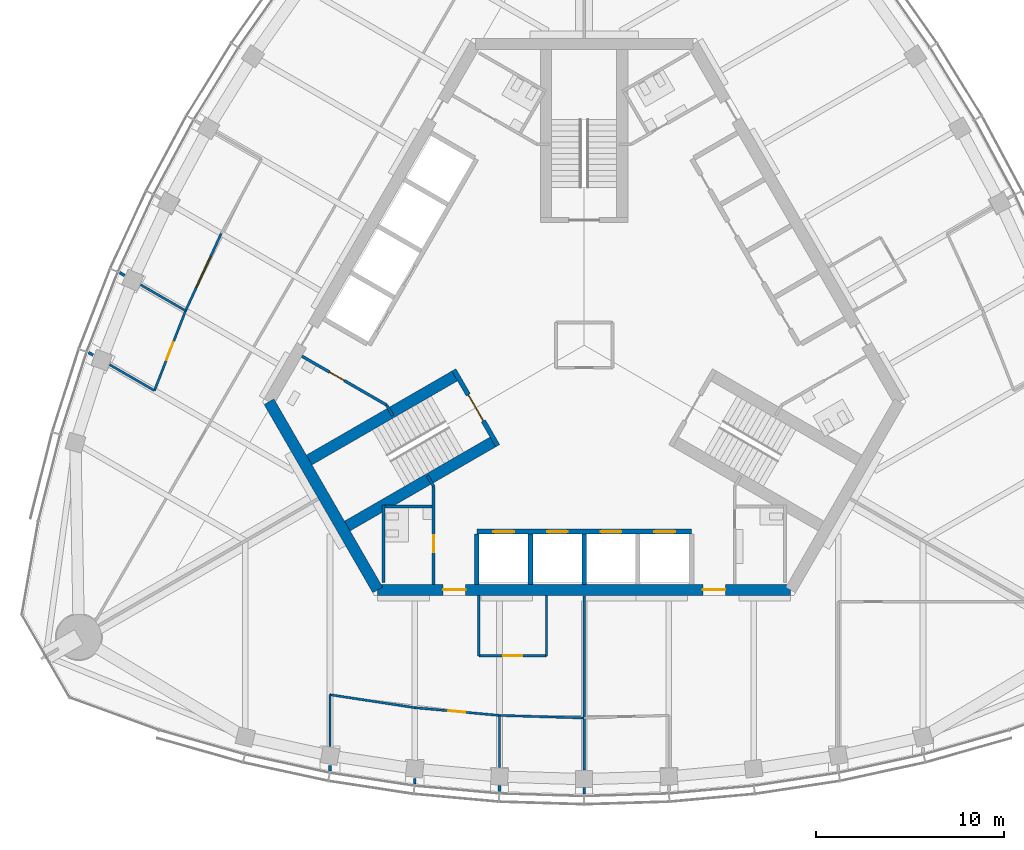
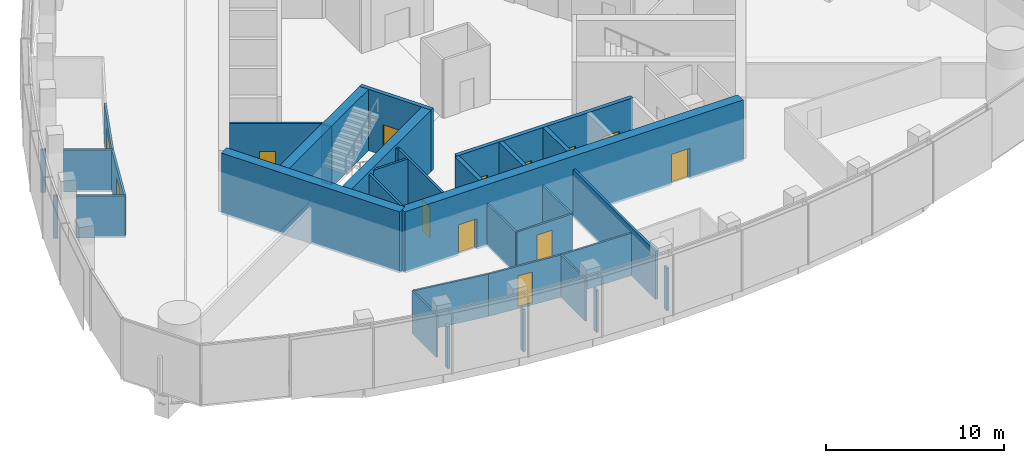
# One storey, part 8 of 16: 34 walls, 13 doors, 13 openings.
"""IFC4 building model written with IfcOpenShell, lengths in metres."""

from ifc_helpers import new_model, si_unit, direction, frame, frame_2d, origin, place, context, subcontext, project, spatial, rectangle, extrude, material, layer, layer_set, type_object, element, fill, save


model = new_model("IFC4")

# Units and contexts
model_context = context("Model", 3, precision=1e-05, world=origin(), true_north=direction((0.0, 1.0)))
body_context = subcontext(model_context, "Body", "Model", "MODEL_VIEW")
ifc_project = project(units=[si_unit("LENGTHUNIT", "METRE"), si_unit("AREAUNIT", "SQUARE_METRE"), si_unit("VOLUMEUNIT", "CUBIC_METRE"), si_unit("PLANEANGLEUNIT", "RADIAN"), si_unit("MASSUNIT", "GRAM", prefix="KILO")], contexts=[model_context])

# Site, building, storey
site_placement = place(None, origin())
site = spatial("IfcSite", under=ifc_project, at=site_placement, CompositionType="ELEMENT")
building_placement = place(site_placement, origin())
building = spatial("IfcBuilding", under=site, at=building_placement, Name="Trefoil Bronze Tower", CompositionType="ELEMENT")
storey_placement = place(building_placement, frame((0.0, 0.0, 309.89990234375)))
storey = spatial("IfcBuildingStorey", under=building, at=storey_placement, Name="L71", CompositionType="ELEMENT", Elevation=309.89990234375)

# Wall, openings, doors
ifc_material_1 = material(Name="Concrete B80", Category="concrete")
ifc_layer_1 = layer(ifc_material_1, 0.60009765625)
ifc_layer_set_1 = layer_set([ifc_layer_1], Name="Core wall 600")
wall_type_1 = type_object("IfcWallType", Name="Core wall 600", PredefinedType="SHEAR", material=ifc_layer_set_1)
wall_1_placement = place(storey_placement, frame((-10.9697265625, -13.0, 0.0), z_axis=(0.0, 0.0, 1.0), x_axis=(1.0, 0.0, 0.0)))
wall_1 = element("IfcWall", 1, at=wall_1_placement, inside=storey, type_object=wall_type_1, Name="Core long wall 1 L71", PredefinedType="SHEAR", context=body_context, shape_type="SweptSolid", body=[
    extrude(rectangle(XDim=21.939453125, YDim=0.60009765625, at=frame_2d((10.9697265625, 0.0))), origin(), (0.0, 0.0, 1.0), 4.2001953125),
])
opening_1_placement = place(wall_1_placement, frame((17.269775390625, 0.0, 0.0)))
opening_1 = element("IfcOpeningElement", 2, at=opening_1_placement, cuts=wall_1, Name="Opening D2", PredefinedType="OPENING", context=body_context, shape_type="SweptSolid", body=[
    extrude(rectangle(XDim=1.199951171875, YDim=2.10009765625, at=frame_2d((0.60009765625, 1.050048828125))), frame((0.0, 0.31005859375, 0.0), z_axis=(0.0, -1.0, 0.0), x_axis=(1.0, 0.0, 0.0)), (0.0, 0.0, 1.0), 0.6201171875),
])
opening_2_placement = place(wall_1_placement, frame((3.4697265625, 0.0, 0.0)))
opening_2 = element("IfcOpeningElement", 3, at=opening_2_placement, cuts=wall_1, Name="Opening D2", PredefinedType="OPENING", context=body_context, shape_type="SweptSolid", body=[
    extrude(rectangle(XDim=1.199951171875, YDim=2.10009765625, at=frame_2d((0.60009765625, 1.050048828125))), frame((0.0, 0.31005859375, 0.0), z_axis=(0.0, -1.0, 0.0), x_axis=(1.0, 0.0, 0.0)), (0.0, 0.0, 1.0), 0.6201171875),
])
ifc_material_2 = material(Name="Steel door", Category="steel")
door_type_1 = type_object("IfcDoorType", Name="Lobby door 1200", OperationType="SINGLE_SWING_RIGHT", PredefinedType="DOOR", material=ifc_material_2)
door_1_placement = place(opening_1_placement, origin())
door_1 = element("IfcDoor", 4, at=door_1_placement, inside=storey, type_object=door_type_1, Name="Lobby door F1+ L71", OperationType="SINGLE_SWING_RIGHT", OverallHeight=2.10009765625, OverallWidth=1.199951171875, PredefinedType="DOOR", context=body_context, shape_type="SweptSolid", body=[
    extrude(rectangle(XDim=1.199951171875, YDim=2.10009765625, at=frame_2d((0.60009765625, 1.050048828125))), frame((0.0, 0.02490234375, 0.0), z_axis=(0.0, -1.0, 0.0), x_axis=(1.0, 0.0, 0.0)), (0.0, 0.0, 1.0), 0.050048828125),
])
fill(opening_1, door_1)
door_2_placement = place(opening_2_placement, origin())
door_2 = element("IfcDoor", 5, at=door_2_placement, inside=storey, type_object=door_type_1, Name="Lobby door F1- L71", OperationType="SINGLE_SWING_LEFT", OverallHeight=2.10009765625, OverallWidth=1.199951171875, PredefinedType="DOOR", context=body_context, shape_type="SweptSolid", body=[
    extrude(rectangle(XDim=1.199951171875, YDim=2.10009765625, at=frame_2d((0.60009765625, 1.050048828125))), frame((0.0, 0.02490234375, 0.0), z_axis=(0.0, -1.0, 0.0), x_axis=(1.0, 0.0, 0.0)), (0.0, 0.0, 1.0), 0.050048828125),
])
fill(opening_2, door_2)

# Wall
wall_2_placement = place(storey_placement, frame((-16.7431640625, -3.0, 0.0), z_axis=(0.0, 0.0, 1.0), x_axis=(0.499995765644, -0.866027848477, 0.0)))
element("IfcWall", 6, at=wall_2_placement, inside=storey, type_object=wall_type_1, Name="Core short wall 3 L71", PredefinedType="SHEAR", context=body_context, shape_type="SweptSolid", body=[
    extrude(rectangle(XDim=11.546875, YDim=0.60009765625, at=frame_2d((5.7734375, 0.0))), origin(), (0.0, 0.0, 1.0), 4.2001953125),
])

# Wall, opening, door
ifc_material_3 = material(Name="Glazed partition", Category="glass")
ifc_layer_2 = layer(ifc_material_3, 0.1201171875)
ifc_layer_set_2 = layer_set([ifc_layer_2], Name="Glazed partition 120")
wall_type_2 = type_object("IfcWallType", Name="Glazed partition 120", PredefinedType="PARTITIONING", material=ifc_layer_set_2)
wall_3_placement = place(storey_placement, frame((-5.60009765625, -16.5, 0.0), z_axis=(0.0, 0.0, 1.0), x_axis=(1.0, 0.0, 0.0)))
wall_3 = element("IfcWall", 7, at=wall_3_placement, inside=storey, type_object=wall_type_2, Name="Partition F1 L71", PredefinedType="PARTITIONING", context=body_context, shape_type="SweptSolid", body=[
    extrude(rectangle(XDim=3.60009765625, YDim=0.1201171875, at=frame_2d((1.800048828125, 0.0))), origin(), (0.0, 0.0, 1.0), 2.900146484375),
])
opening_3_placement = place(wall_3_placement, frame((1.300048828125, 0.0, 0.14990234375)))
opening_3 = element("IfcOpeningElement", 8, at=opening_3_placement, cuts=wall_3, Name="Opening D9", PredefinedType="OPENING", context=body_context, shape_type="SweptSolid", body=[
    extrude(rectangle(XDim=1.0, YDim=2.10009765625, at=frame_2d((0.5, 1.050048828125))), frame((0.0, 0.070068359375, 0.0), z_axis=(0.0, -1.0, 0.0), x_axis=(1.0, 0.0, 0.0)), (0.0, 0.0, 1.0), 0.14013671875),
])
ifc_material_4 = material(Name="Glazed timber door", Category="wood")
door_type_2 = type_object("IfcDoorType", Name="Meeting room door 1000", OperationType="SINGLE_SWING_LEFT", PredefinedType="DOOR", material=ifc_material_4)
door_3_placement = place(opening_3_placement, origin())
door_3 = element("IfcDoor", 9, at=door_3_placement, inside=storey, type_object=door_type_2, Name="Meeting room door F1 L71", OperationType="SINGLE_SWING_RIGHT", OverallHeight=2.10009765625, OverallWidth=1.0, PredefinedType="DOOR", context=body_context, shape_type="SweptSolid", body=[
    extrude(rectangle(XDim=1.0, YDim=2.10009765625, at=frame_2d((0.5, 1.050048828125))), frame((0.0, 0.02490234375, 0.0), z_axis=(0.0, -1.0, 0.0), x_axis=(1.0, 0.0, 0.0)), (0.0, 0.0, 1.0), 0.050048828125),
])
fill(opening_3, door_3)

# Walls
for number, where, z_axis, x_axis, name in (
    (10, (-2.0, -13.300048828125, 0.0), (0.0, 0.0, 1.0), (0.0, -1.0, 0.0), "Partition F1 L71"),
    (11, (-5.60009765625, -13.300048828125, 0.0), (0.0, 0.0, 1.0), (0.0, -1.0, 0.0), "Partition F1 L71"),
):
    element("IfcWall", number, at=place(storey_placement, frame(where, z_axis=z_axis, x_axis=x_axis)), inside=storey, type_object=wall_type_2, Name=name, PredefinedType="PARTITIONING", context=body_context, shape_type="SweptSolid", body=[
        extrude(rectangle(XDim=3.199951171875, YDim=0.1201171875, at=frame_2d((1.60009765625, 0.0))), origin(), (0.0, 0.0, 1.0), 2.900146484375),
    ])
wall_4_placement = place(storey_placement, frame((-13.5, -18.566162109375, 0.0), z_axis=(0.0, 0.0, 1.0), x_axis=(0.988481794406, -0.151339823341, 0.0)))
element("IfcWall", 12, at=wall_4_placement, inside=storey, type_object=wall_type_2, Name="Partition F1 L71", PredefinedType="PARTITIONING", context=body_context, shape_type="SweptSolid", body=[
    extrude(rectangle(XDim=4.552490234375, YDim=0.1201171875, at=frame_2d((2.2763671875, 0.0))), origin(), (0.0, 0.0, 1.0), 2.900146484375),
])
wall_5_placement = place(storey_placement, frame((-4.5, -19.665283203125, 0.0), z_axis=(0.0, 0.0, 1.0), x_axis=(0.999542074227, -0.030259574513, 0.0)))
element("IfcWall", 13, at=wall_5_placement, inside=storey, type_object=wall_type_2, Name="Partition F1 L71", PredefinedType="PARTITIONING", context=body_context, shape_type="SweptSolid", body=[
    extrude(rectangle(XDim=4.501953125, YDim=0.1201171875, at=frame_2d((2.2509765625, 0.0))), origin(), (0.0, 0.0, 1.0), 2.900146484375),
])

# Wall, opening, door
wall_6_placement = place(storey_placement, frame((-9.0, -19.255126953125, 0.0), z_axis=(0.0, 0.0, 1.0), x_axis=(0.995871921504, -0.090769576179, 0.0)))
wall_6 = element("IfcWall", 14, at=wall_6_placement, inside=storey, type_object=wall_type_2, Name="Partition F1 L71", PredefinedType="PARTITIONING", context=body_context, shape_type="SweptSolid", body=[
    extrude(rectangle(XDim=4.5185546875, YDim=0.1201171875, at=frame_2d((2.25927734375, 0.0))), origin(), (0.0, 0.0, 1.0), 2.900146484375),
])
opening_4_placement = place(wall_6_placement, frame((1.800048828125, 0.0, 0.14990234375)))
opening_4 = element("IfcOpeningElement", 15, at=opening_4_placement, cuts=wall_6, Name="Opening D8", PredefinedType="OPENING", context=body_context, shape_type="SweptSolid", body=[
    extrude(rectangle(XDim=0.89990234375, YDim=2.10009765625, at=frame_2d((0.449951171875, 1.050048828125))), frame((0.0, 0.070068359375, 0.0), z_axis=(0.0, -1.0, 0.0), x_axis=(1.0, 0.0, 0.0)), (0.0, 0.0, 1.0), 0.14013671875),
])
ifc_material_5 = material(Name="Timber door", Category="wood")
door_type_3 = type_object("IfcDoorType", Name="Office door 900", OperationType="SINGLE_SWING_LEFT", PredefinedType="DOOR", material=ifc_material_5)
door_4_placement = place(opening_4_placement, frame((0.89990234375, 0.0, 0.0), z_axis=(0.0, 0.0, 1.0), x_axis=(-1.0, 0.0, 0.0)))
door_4 = element("IfcDoor", 16, at=door_4_placement, inside=storey, type_object=door_type_3, Name="Executive office door F1 L71", OperationType="SINGLE_SWING_RIGHT", OverallHeight=2.10009765625, OverallWidth=0.89990234375, PredefinedType="DOOR", context=body_context, shape_type="SweptSolid", body=[
    extrude(rectangle(XDim=0.89990234375, YDim=2.10009765625, at=frame_2d((0.449951171875, 1.050048828125))), frame((0.0, 0.02490234375, 0.0), z_axis=(0.0, -1.0, 0.0), x_axis=(1.0, 0.0, 0.0)), (0.0, 0.0, 1.0), 0.050048828125),
])
fill(opening_4, door_4)

# Walls
wall_7_placement = place(storey_placement, frame((-13.5, -18.566162109375, 0.0), z_axis=(0.0, 0.0, 1.0), x_axis=(0.0, -1.0, 0.0)))
element("IfcWall", 17, at=wall_7_placement, inside=storey, type_object=wall_type_2, Name="Partition F1 L71", PredefinedType="PARTITIONING", context=body_context, shape_type="SweptSolid", body=[
    extrude(rectangle(XDim=2.74853515625, YDim=0.1201171875, at=frame_2d((1.374267578125, 0.0))), origin(), (0.0, 0.0, 1.0), 2.900146484375),
])
wall_8_placement = place(storey_placement, frame((-4.5, -19.665283203125, 0.0), z_axis=(0.0, 0.0, 1.0), x_axis=(0.0, -1.0, 0.0)))
element("IfcWall", 18, at=wall_8_placement, inside=storey, type_object=wall_type_2, Name="Partition F1 L71", PredefinedType="PARTITIONING", context=body_context, shape_type="SweptSolid", body=[
    extrude(rectangle(XDim=2.767822265625, YDim=0.1201171875, at=frame_2d((1.3837890625, 0.0))), origin(), (0.0, 0.0, 1.0), 2.900146484375),
])

# Wall, opening, door
wall_9_placement = place(storey_placement, frame((-19.28076171875, 5.935546875, 0.0), z_axis=(0.0, 0.0, 1.0), x_axis=(-0.419270595022, -0.907861315483, 0.0)))
wall_9 = element("IfcWall", 19, at=wall_9_placement, inside=storey, type_object=wall_type_2, Name="Partition F3 L71", PredefinedType="PARTITIONING", context=body_context, shape_type="SweptSolid", body=[
    extrude(rectangle(XDim=4.5185546875, YDim=0.1201171875, at=frame_2d((2.25927734375, 0.0))), origin(), (0.0, 0.0, 1.0), 2.900146484375),
])
opening_5_placement = place(wall_9_placement, frame((1.35009765625, 0.0, 0.14990234375)))
opening_5 = element("IfcOpeningElement", 20, at=opening_5_placement, cuts=wall_9, Name="Opening D10", PredefinedType="OPENING", context=body_context, shape_type="SweptSolid", body=[
    extrude(rectangle(XDim=1.800048828125, YDim=2.10009765625, at=frame_2d((0.89990234375, 1.050048828125))), frame((0.0, 0.070068359375, 0.0), z_axis=(0.0, -1.0, 0.0), x_axis=(1.0, 0.0, 0.0)), (0.0, 0.0, 1.0), 0.14013671875),
])
ifc_material_6 = material(Name="Timber door", Category="wood")
door_type_4 = type_object("IfcDoorType", Name="Double door 1800", OperationType="DOUBLE_DOOR_SINGLE_SWING", PredefinedType="DOOR", material=ifc_material_6)
door_5_placement = place(opening_5_placement, frame((1.800048828125, 0.0, 0.0), z_axis=(0.0, 0.0, 1.0), x_axis=(-1.0, 0.0, 0.0)))
door_5 = element("IfcDoor", 21, at=door_5_placement, inside=storey, type_object=door_type_4, Name="Dining room door F3 L71", OperationType="DOUBLE_DOOR_SINGLE_SWING", OverallHeight=2.10009765625, OverallWidth=1.800048828125, PredefinedType="DOOR", context=body_context, shape_type="SweptSolid", body=[
    extrude(rectangle(XDim=1.800048828125, YDim=2.10009765625, at=frame_2d((0.89990234375, 1.050048828125))), frame((0.0, 0.02490234375, 0.0), z_axis=(0.0, -1.0, 0.0), x_axis=(1.0, 0.0, 0.0)), (0.0, 0.0, 1.0), 0.050048828125),
])
fill(opening_5, door_5)

wall_10_placement = place(storey_placement, frame((-21.17529296875, 1.833251953125, 0.0), z_axis=(0.0, 0.0, 1.0), x_axis=(-0.363230297573, -0.931699388711, 0.0)))
wall_10 = element("IfcWall", 22, at=wall_10_placement, inside=storey, type_object=wall_type_2, Name="Partition F3 L71", PredefinedType="PARTITIONING", context=body_context, shape_type="SweptSolid", body=[
    extrude(rectangle(XDim=4.552490234375, YDim=0.1201171875, at=frame_2d((2.2763671875, 0.0))), origin(), (0.0, 0.0, 1.0), 2.900146484375),
])
opening_6_placement = place(wall_10_placement, frame((1.800048828125, 0.0, 0.14990234375)))
opening_6 = element("IfcOpeningElement", 23, at=opening_6_placement, cuts=wall_10, Name="Opening D9", PredefinedType="OPENING", context=body_context, shape_type="SweptSolid", body=[
    extrude(rectangle(XDim=1.0, YDim=2.10009765625, at=frame_2d((0.5, 1.050048828125))), frame((0.0, 0.070068359375, 0.0), z_axis=(0.0, -1.0, 0.0), x_axis=(1.0, 0.0, 0.0)), (0.0, 0.0, 1.0), 0.14013671875),
])
door_6_placement = place(opening_6_placement, frame((1.0, 0.0, 0.0), z_axis=(0.0, 0.0, 1.0), x_axis=(-1.0, 0.0, 0.0)))
door_6 = element("IfcDoor", 24, at=door_6_placement, inside=storey, type_object=door_type_2, Name="Meeting room door F3 L71", OperationType="SINGLE_SWING_LEFT", OverallHeight=2.10009765625, OverallWidth=1.0, PredefinedType="DOOR", context=body_context, shape_type="SweptSolid", body=[
    extrude(rectangle(XDim=1.0, YDim=2.10009765625, at=frame_2d((0.5, 1.050048828125))), frame((0.0, 0.02490234375, 0.0), z_axis=(0.0, -1.0, 0.0), x_axis=(1.0, 0.0, 0.0)), (0.0, 0.0, 1.0), 0.050048828125),
])
fill(opening_6, door_6)

# Walls
wall_11_placement = place(storey_placement, frame((-22.828857421875, -2.408203125, 0.0), z_axis=(0.0, 0.0, 1.0), x_axis=(-0.866031754707, 0.499988999718, 0.0)))
element("IfcWall", 25, at=wall_11_placement, inside=storey, type_object=wall_type_2, Name="Partition F3 L71", PredefinedType="PARTITIONING", context=body_context, shape_type="SweptSolid", body=[
    extrude(rectangle(XDim=2.74853515625, YDim=0.1201171875, at=frame_2d((1.374267578125, 0.0))), origin(), (0.0, 0.0, 1.0), 2.900146484375),
])
wall_12_placement = place(storey_placement, frame((-21.17529296875, 1.833251953125, 0.0), z_axis=(0.0, 0.0, 1.0), x_axis=(-0.86602506628, 0.500000584575, 0.0)))
element("IfcWall", 26, at=wall_12_placement, inside=storey, type_object=wall_type_2, Name="Partition F3 L71", PredefinedType="PARTITIONING", context=body_context, shape_type="SweptSolid", body=[
    extrude(rectangle(XDim=2.7607421875, YDim=0.1201171875, at=frame_2d((1.38037109375, 0.0))), origin(), (0.0, 0.0, 1.0), 2.900146484375),
])

# Wall, opening, door
ifc_material_7 = material(Name="Gypsum board on steel studs", Category="steel")
ifc_layer_3 = layer(ifc_material_7, 0.14990234375)
ifc_layer_set_3 = layer_set([ifc_layer_3], Name="Partition 150")
wall_type_3 = type_object("IfcWallType", Name="Partition 150", PredefinedType="PARTITIONING", material=ifc_layer_set_3)
wall_13_placement = place(storey_placement, frame((-8.0, -7.5, 0.0), z_axis=(0.0, 0.0, 1.0), x_axis=(0.0, -1.0, 0.0)))
wall_13 = element("IfcWall", 27, at=wall_13_placement, inside=storey, type_object=wall_type_3, Name="Passage wall F1- L71", PredefinedType="PARTITIONING", context=body_context, shape_type="SweptSolid", body=[
    extrude(rectangle(XDim=5.199951171875, YDim=0.14990234375, at=frame_2d((2.60009765625, 0.0))), origin(), (0.0, 0.0, 1.0), 4.0),
])
opening_7_placement = place(wall_13_placement, frame((2.60009765625, 0.0, 0.0)))
opening_7 = element("IfcOpeningElement", 28, at=opening_7_placement, cuts=wall_13, Name="Opening D3", PredefinedType="OPENING", context=body_context, shape_type="SweptSolid", body=[
    extrude(rectangle(XDim=0.89990234375, YDim=2.10009765625, at=frame_2d((0.449951171875, 1.050048828125))), frame((0.0, 0.0849609375, 0.0), z_axis=(0.0, -1.0, 0.0), x_axis=(1.0, 0.0, 0.0)), (0.0, 0.0, 1.0), 0.169921875),
])
ifc_material_8 = material(Name="Timber door", Category="wood")
door_type_5 = type_object("IfcDoorType", Name="WC door 900", OperationType="SINGLE_SWING_LEFT", PredefinedType="DOOR", material=ifc_material_8)
door_7_placement = place(opening_7_placement, frame((0.89990234375, 0.0, 0.0), z_axis=(0.0, 0.0, 1.0), x_axis=(-1.0, 0.0, 0.0)))
door_7 = element("IfcDoor", 29, at=door_7_placement, inside=storey, type_object=door_type_5, Name="WC (women) door L71", OperationType="SINGLE_SWING_RIGHT", OverallHeight=2.10009765625, OverallWidth=0.89990234375, PredefinedType="DOOR", context=body_context, shape_type="SweptSolid", body=[
    extrude(rectangle(XDim=0.89990234375, YDim=2.10009765625, at=frame_2d((0.449951171875, 1.050048828125))), frame((0.0, 0.02490234375, 0.0), z_axis=(0.0, -1.0, 0.0), x_axis=(1.0, 0.0, 0.0)), (0.0, 0.0, 1.0), 0.050048828125),
])
fill(opening_7, door_7)

wall_14_placement = place(storey_placement, frame((-10.4951171875, -3.17822265625, 0.0), z_axis=(0.0, 0.0, 1.0), x_axis=(-0.866021400173, 0.500006934395, 0.0)))
wall_14 = element("IfcWall", 30, at=wall_14_placement, inside=storey, type_object=wall_type_3, Name="Passage wall F3+ L71", PredefinedType="PARTITIONING", context=body_context, shape_type="SweptSolid", body=[
    extrude(rectangle(XDim=5.2001953125, YDim=0.14990234375, at=frame_2d((2.60009765625, 0.0))), origin(), (0.0, 0.0, 1.0), 4.0),
])
opening_8_placement = place(wall_14_placement, frame((2.60009765625, 0.0, 0.0)))
opening_8 = element("IfcOpeningElement", 31, at=opening_8_placement, cuts=wall_14, Name="Opening D3", PredefinedType="OPENING", context=body_context, shape_type="SweptSolid", body=[
    extrude(rectangle(XDim=0.89990234375, YDim=2.10009765625, at=frame_2d((0.449951171875, 1.050048828125))), frame((0.0, 0.0849609375, 0.0), z_axis=(0.0, -1.0, 0.0), x_axis=(1.0, 0.0, 0.0)), (0.0, 0.0, 1.0), 0.169921875),
])
door_8_placement = place(opening_8_placement, origin())
door_8 = element("IfcDoor", 32, at=door_8_placement, inside=storey, type_object=door_type_5, Name="Accessible WC door L71", OperationType="SINGLE_SWING_RIGHT", OverallHeight=2.10009765625, OverallWidth=0.89990234375, PredefinedType="DOOR", context=body_context, shape_type="SweptSolid", body=[
    extrude(rectangle(XDim=0.89990234375, YDim=2.10009765625, at=frame_2d((0.449951171875, 1.050048828125))), frame((0.0, 0.02490234375, 0.0), z_axis=(0.0, -1.0, 0.0), x_axis=(1.0, 0.0, 0.0)), (0.0, 0.0, 1.0), 0.050048828125),
])
fill(opening_8, door_8)

# Walls
for number, where, z_axis, x_axis, name in (
    (33, (-10.4951171875, -3.17822265625, 0.0), (0.0, 0.0, 1.0), (0.499842556608, -0.866116284689, 0.0), "WC wall ST3-1 L71"),
    (34, (-8.0, -7.5, 0.0), (0.0, 0.0, 1.0), (-0.499842556608, 0.866116284689, 0.0), "WC wall ST3+1 L71"),
):
    element("IfcWall", number, at=place(storey_placement, frame(where, z_axis=z_axis, x_axis=x_axis)), inside=storey, type_object=wall_type_3, Name=name, PredefinedType="PARTITIONING", context=body_context, shape_type="SweptSolid", body=[
        extrude(rectangle(XDim=0.645263671875, YDim=0.14990234375, at=frame_2d((0.32275390625, 0.0))), origin(), (0.0, 0.0, 1.0), 4.0),
    ])
wall_15_placement = place(storey_placement, frame((-10.659912109375, -8.5, 0.0), z_axis=(0.0, 0.0, 1.0), x_axis=(0.0, -1.0, 0.0)))
element("IfcWall", 35, at=wall_15_placement, inside=storey, type_object=wall_type_3, Name="WC partition WC (women) L71", PredefinedType="PARTITIONING", context=body_context, shape_type="SweptSolid", body=[
    extrude(rectangle(XDim=4.10009765625, YDim=0.14990234375, at=frame_2d((2.050048828125, 0.0))), origin(), (0.0, 0.0, 1.0), 4.0),
])
wall_16_placement = place(storey_placement, frame((-8.074951171875, -8.574951171875, 0.0), z_axis=(0.0, 0.0, 1.0), x_axis=(-1.0, 0.0, 0.0)))
element("IfcWall", 36, at=wall_16_placement, inside=storey, type_object=wall_type_3, Name="WC partition WC (women) L71", PredefinedType="PARTITIONING", context=body_context, shape_type="SweptSolid", body=[
    extrude(rectangle(XDim=2.510009765625, YDim=0.14990234375, at=frame_2d((1.2548828125, 0.0))), origin(), (0.0, 0.0, 1.0), 4.0),
])
wall_17_placement = place(storey_placement, frame((0.0, -23.505615234375, 0.0), z_axis=(0.0, 0.0, 1.0), x_axis=(0.0, -1.0, 0.0)))
element("IfcWall", 37, at=wall_17_placement, inside=storey, type_object=wall_type_3, Name="Partition F1 L71", PredefinedType="PARTITIONING", context=body_context, shape_type="SweptSolid", body=[
    extrude(rectangle(XDim=0.341064453125, YDim=0.14990234375, at=frame_2d((0.17041015625, 0.0))), origin(), (0.0, 0.0, 1.0), 2.900146484375),
])
wall_18_placement = place(storey_placement, frame((-13.5, -22.3310546875, 0.0), z_axis=(0.0, 0.0, 1.0), x_axis=(0.0, -1.0, 0.0)))
element("IfcWall", 38, at=wall_18_placement, inside=storey, type_object=wall_type_3, Name="Partition F1 L71", PredefinedType="PARTITIONING", context=body_context, shape_type="SweptSolid", body=[
    extrude(rectangle(XDim=0.2802734375, YDim=0.14990234375, at=frame_2d((0.14013671875, 0.0))), origin(), (0.0, 0.0, 1.0), 2.900146484375),
])
wall_19_placement = place(storey_placement, frame((-4.5, -23.394287109375, 0.0), z_axis=(0.0, 0.0, 1.0), x_axis=(0.0, -1.0, 0.0)))
element("IfcWall", 39, at=wall_19_placement, inside=storey, type_object=wall_type_3, Name="Partition F1 L71", PredefinedType="PARTITIONING", context=body_context, shape_type="SweptSolid", body=[
    extrude(rectangle(XDim=0.316162109375, YDim=0.14990234375, at=frame_2d((0.158203125, 0.0))), origin(), (0.0, 0.0, 1.0), 2.900146484375),
])
wall_20_placement = place(storey_placement, frame((-9.0, -23.00439453125, 0.0), z_axis=(0.0, 0.0, 1.0), x_axis=(0.0, -1.0, 0.0)))
element("IfcWall", 40, at=wall_20_placement, inside=storey, type_object=wall_type_3, Name="Partition F1 L71", PredefinedType="PARTITIONING", context=body_context, shape_type="SweptSolid", body=[
    extrude(rectangle(XDim=0.295654296875, YDim=0.14990234375, at=frame_2d((0.14794921875, 0.0))), origin(), (0.0, 0.0, 1.0), 2.900146484375),
])
wall_21_placement = place(storey_placement, frame((-26.08935546875, -0.52587890625, 0.0), z_axis=(0.0, 0.0, 1.0), x_axis=(-0.865982457891, 0.500074377092, 0.0)))
element("IfcWall", 41, at=wall_21_placement, inside=storey, type_object=wall_type_3, Name="Partition F3 L71", PredefinedType="PARTITIONING", context=body_context, shape_type="SweptSolid", body=[
    extrude(rectangle(XDim=0.2802734375, YDim=0.14990234375, at=frame_2d((0.14013671875, 0.0))), origin(), (0.0, 0.0, 1.0), 2.900146484375),
])
wall_22_placement = place(storey_placement, frame((-24.42236328125, 3.7080078125, 0.0), z_axis=(0.0, 0.0, 1.0), x_axis=(-0.866254317358, 0.499603300288, 0.0)))
element("IfcWall", 42, at=wall_22_placement, inside=storey, type_object=wall_type_3, Name="Partition F3 L71", PredefinedType="PARTITIONING", context=body_context, shape_type="SweptSolid", body=[
    extrude(rectangle(XDim=0.295654296875, YDim=0.14990234375, at=frame_2d((0.14794921875, 0.0))), origin(), (0.0, 0.0, 1.0), 2.900146484375),
])
ifc_material_9 = material(Name="Gypsum board on steel studs", Category="steel")
ifc_layer_4 = layer(ifc_material_9, 0.14990234375)
ifc_layer_set_4 = layer_set([ifc_layer_4], Name="Party wall 150")
wall_type_4 = type_object("IfcWallType", Name="Party wall 150", PredefinedType="PARTITIONING", material=ifc_layer_set_4)
wall_23_placement = place(storey_placement, frame((0.0, -13.31005859375, 0.0), z_axis=(0.0, 0.0, 1.0), x_axis=(0.0, -1.0, 0.0)))
element("IfcWall", 43, at=wall_23_placement, inside=storey, type_object=wall_type_4, Name="Demising wall F1 L71", PredefinedType="PARTITIONING", context=body_context, shape_type="SweptSolid", body=[
    extrude(rectangle(XDim=9.261474609375, YDim=0.14990234375, at=frame_2d((4.630859375, 0.0))), origin(), (0.0, 0.0, 1.0), 3.300048828125),
])

# Wall, openings, doors
ifc_material_10 = material(Name="Concrete B80", Category="concrete")
ifc_layer_5 = layer(ifc_material_10, 0.25)
ifc_layer_set_5 = layer_set([ifc_layer_5], Name="Shaft wall 250")
wall_type_5 = type_object("IfcWallType", Name="Shaft wall 250", PredefinedType="SHEAR", material=ifc_layer_set_5)
wall_24_placement = place(storey_placement, frame((-5.699951171875, -9.89990234375, 0.0), z_axis=(0.0, 0.0, 1.0), x_axis=(1.0, 0.0, 0.0)))
wall_24 = element("IfcWall", 44, at=wall_24_placement, inside=storey, type_object=wall_type_5, Name="Lift shaft front wall A L71", PredefinedType="SHEAR", context=body_context, shape_type="SweptSolid", body=[
    extrude(rectangle(XDim=11.39990234375, YDim=0.25, at=frame_2d((5.699951171875, 0.0))), origin(), (0.0, 0.0, 1.0), 4.2001953125),
])
opening_9_placement = place(wall_24_placement, frame((0.875, 0.0, 0.0)))
opening_9 = element("IfcOpeningElement", 45, at=opening_9_placement, cuts=wall_24, Name="Opening LD-P41", PredefinedType="OPENING", context=body_context, shape_type="SweptSolid", body=[
    extrude(rectangle(XDim=1.10009765625, YDim=2.199951171875, at=frame_2d((0.550048828125, 1.10009765625))), frame((0.0, 0.135009765625, 0.0), z_axis=(0.0, -1.0, 0.0), x_axis=(1.0, 0.0, 0.0)), (0.0, 0.0, 1.0), 0.27001953125),
])
opening_10_placement = place(wall_24_placement, frame((3.72509765625, 0.0, 0.0)))
opening_10 = element("IfcOpeningElement", 46, at=opening_10_placement, cuts=wall_24, Name="Opening LD-P42", PredefinedType="OPENING", context=body_context, shape_type="SweptSolid", body=[
    extrude(rectangle(XDim=1.10009765625, YDim=2.199951171875, at=frame_2d((0.550048828125, 1.10009765625))), frame((0.0, 0.135009765625, 0.0), z_axis=(0.0, -1.0, 0.0), x_axis=(1.0, 0.0, 0.0)), (0.0, 0.0, 1.0), 0.27001953125),
])
opening_11_placement = place(wall_24_placement, frame((6.574951171875, 0.0, 0.0)))
opening_11 = element("IfcOpeningElement", 47, at=opening_11_placement, cuts=wall_24, Name="Opening LD-P43", PredefinedType="OPENING", context=body_context, shape_type="SweptSolid", body=[
    extrude(rectangle(XDim=1.10009765625, YDim=2.199951171875, at=frame_2d((0.550048828125, 1.10009765625))), frame((0.0, 0.135009765625, 0.0), z_axis=(0.0, -1.0, 0.0), x_axis=(1.0, 0.0, 0.0)), (0.0, 0.0, 1.0), 0.27001953125),
])
opening_12_placement = place(wall_24_placement, frame((9.425048828125, 0.0, 0.0)))
opening_12 = element("IfcOpeningElement", 48, at=opening_12_placement, cuts=wall_24, Name="Opening LD-P44", PredefinedType="OPENING", context=body_context, shape_type="SweptSolid", body=[
    extrude(rectangle(XDim=1.10009765625, YDim=2.199951171875, at=frame_2d((0.550048828125, 1.10009765625))), frame((0.0, 0.135009765625, 0.0), z_axis=(0.0, -1.0, 0.0), x_axis=(1.0, 0.0, 0.0)), (0.0, 0.0, 1.0), 0.27001953125),
])
ifc_material_11 = material(Name="Steel door", Category="steel")
door_type_6 = type_object("IfcDoorType", Name="Lift landing door 1100", OperationType="DOUBLE_DOOR_SLIDING", PredefinedType="DOOR", material=ifc_material_11)
door_9_placement = place(opening_9_placement, origin())
door_9 = element("IfcDoor", 49, at=door_9_placement, inside=storey, type_object=door_type_6, Name="Lift P41 landing door L71", OperationType="DOUBLE_DOOR_SLIDING", OverallHeight=2.199951171875, OverallWidth=1.10009765625, PredefinedType="DOOR", context=body_context, shape_type="SweptSolid", body=[
    extrude(rectangle(XDim=1.10009765625, YDim=2.199951171875, at=frame_2d((0.550048828125, 1.10009765625))), frame((0.0, 0.02490234375, 0.0), z_axis=(0.0, -1.0, 0.0), x_axis=(1.0, 0.0, 0.0)), (0.0, 0.0, 1.0), 0.050048828125),
])
fill(opening_9, door_9)
door_10_placement = place(opening_10_placement, origin())
door_10 = element("IfcDoor", 50, at=door_10_placement, inside=storey, type_object=door_type_6, Name="Lift P42 landing door L71", OperationType="DOUBLE_DOOR_SLIDING", OverallHeight=2.199951171875, OverallWidth=1.10009765625, PredefinedType="DOOR", context=body_context, shape_type="SweptSolid", body=[
    extrude(rectangle(XDim=1.10009765625, YDim=2.199951171875, at=frame_2d((0.550048828125, 1.10009765625))), frame((0.0, 0.02490234375, 0.0), z_axis=(0.0, -1.0, 0.0), x_axis=(1.0, 0.0, 0.0)), (0.0, 0.0, 1.0), 0.050048828125),
])
fill(opening_10, door_10)
door_11_placement = place(opening_11_placement, origin())
door_11 = element("IfcDoor", 51, at=door_11_placement, inside=storey, type_object=door_type_6, Name="Lift P43 landing door L71", OperationType="DOUBLE_DOOR_SLIDING", OverallHeight=2.199951171875, OverallWidth=1.10009765625, PredefinedType="DOOR", context=body_context, shape_type="SweptSolid", body=[
    extrude(rectangle(XDim=1.10009765625, YDim=2.199951171875, at=frame_2d((0.550048828125, 1.10009765625))), frame((0.0, 0.02490234375, 0.0), z_axis=(0.0, -1.0, 0.0), x_axis=(1.0, 0.0, 0.0)), (0.0, 0.0, 1.0), 0.050048828125),
])
fill(opening_11, door_11)
door_12_placement = place(opening_12_placement, origin())
door_12 = element("IfcDoor", 52, at=door_12_placement, inside=storey, type_object=door_type_6, Name="Lift P44 landing door L71", OperationType="DOUBLE_DOOR_SLIDING", OverallHeight=2.199951171875, OverallWidth=1.10009765625, PredefinedType="DOOR", context=body_context, shape_type="SweptSolid", body=[
    extrude(rectangle(XDim=1.10009765625, YDim=2.199951171875, at=frame_2d((0.550048828125, 1.10009765625))), frame((0.0, 0.02490234375, 0.0), z_axis=(0.0, -1.0, 0.0), x_axis=(1.0, 0.0, 0.0)), (0.0, 0.0, 1.0), 0.050048828125),
])
fill(opening_12, door_12)

# Walls
for number, where, z_axis, x_axis, name in (
    (53, (-5.699951171875, -10.02490234375, 0.0), (0.0, 0.0, 1.0), (0.0, -1.0, 0.0), "Lift shaft side wall A0 L71"),
    (54, (-2.85009765625, -10.02490234375, 0.0), (0.0, 0.0, 1.0), (0.0, -1.0, 0.0), "Lift shaft side wall A1 L71"),
    (55, (0.0, -10.02490234375, 0.0), (0.0, 0.0, 1.0), (0.0, -1.0, 0.0), "Lift shaft side wall A2 L71"),
):
    element("IfcWall", number, at=place(storey_placement, frame(where, z_axis=z_axis, x_axis=x_axis)), inside=storey, type_object=wall_type_5, Name=name, PredefinedType="SHEAR", context=body_context, shape_type="SweptSolid", body=[
        extrude(rectangle(XDim=2.675048828125, YDim=0.25, at=frame_2d((1.33740234375, 0.0))), origin(), (0.0, 0.0, 1.0), 4.2001953125),
    ])

# Wall, opening, door
wall_25_placement = place(storey_placement, frame((-6.921630859375, -1.3115234375, 0.0), z_axis=(0.0, 0.0, 1.0), x_axis=(0.499984536904, -0.866034331223, 0.0)))
wall_25 = element("IfcWall", 56, at=wall_25_placement, inside=storey, type_object=wall_type_5, Name="Stair end wall ST3 L71", PredefinedType="SHEAR", context=body_context, shape_type="SweptSolid", body=[
    extrude(rectangle(XDim=4.650146484375, YDim=0.25, at=frame_2d((2.3251953125, 0.0))), origin(), (0.0, 0.0, 1.0), 4.2001953125),
])
opening_13_placement = place(wall_25_placement, frame((1.52490234375, 0.0, 0.0)))
opening_13 = element("IfcOpeningElement", 57, at=opening_13_placement, cuts=wall_25, Name="Opening D1", PredefinedType="OPENING", context=body_context, shape_type="SweptSolid", body=[
    extrude(rectangle(XDim=1.60009765625, YDim=2.10009765625, at=frame_2d((0.800048828125, 1.050048828125))), frame((0.0, 0.135009765625, 0.0), z_axis=(0.0, -1.0, 0.0), x_axis=(1.0, 0.0, 0.0)), (0.0, 0.0, 1.0), 0.27001953125),
])
ifc_material_12 = material(Name="Steel door", Category="steel")
door_type_7 = type_object("IfcDoorType", Name="Stair door 1600", OperationType="DOUBLE_DOOR_SINGLE_SWING", PredefinedType="DOOR", material=ifc_material_12)
door_13_placement = place(opening_13_placement, frame((1.60009765625, 0.0, 0.0), z_axis=(0.0, 0.0, 1.0), x_axis=(-1.0, 0.0, 0.0)))
door_13 = element("IfcDoor", 58, at=door_13_placement, inside=storey, type_object=door_type_7, Name="Stair door ST3 L71", OperationType="DOUBLE_DOOR_SINGLE_SWING", OverallHeight=2.10009765625, OverallWidth=1.60009765625, PredefinedType="DOOR", context=body_context, shape_type="SweptSolid", body=[
    extrude(rectangle(XDim=1.60009765625, YDim=2.10009765625, at=frame_2d((0.800048828125, 1.050048828125))), frame((0.0, 0.02490234375, 0.0), z_axis=(0.0, -1.0, 0.0), x_axis=(1.0, 0.0, 0.0)), (0.0, 0.0, 1.0), 0.050048828125),
])
fill(opening_13, door_13)

# Walls
ifc_material_13 = material(Name="Concrete B80", Category="concrete")
ifc_layer_6 = layer(ifc_material_13, 0.60009765625)
ifc_layer_set_6 = layer_set([ifc_layer_6], Name="Stair wall 600")
wall_type_6 = type_object("IfcWallType", Name="Stair wall 600", PredefinedType="SHEAR", material=ifc_layer_set_6)
wall_26_placement = place(storey_placement, frame((-6.663330078125, -1.5087890625, 0.0), z_axis=(0.0, 0.0, 1.0), x_axis=(-0.86603049496, -0.499991181721, 0.0)))
element("IfcWall", 59, at=wall_26_placement, inside=storey, type_object=wall_type_6, Name="Stair wall ST3 L71", PredefinedType="SHEAR", context=body_context, shape_type="SweptSolid", body=[
    extrude(rectangle(XDim=9.175048828125, YDim=0.60009765625, at=frame_2d((4.58740234375, 0.0))), origin(), (0.0, 0.0, 1.0), 4.2001953125),
])
wall_27_placement = place(storey_placement, frame((-4.638427734375, -5.01611328125, 0.0), z_axis=(0.0, 0.0, 1.0), x_axis=(-0.866012320003, -0.50002266109, 0.0)))
element("IfcWall", 60, at=wall_27_placement, inside=storey, type_object=wall_type_6, Name="Stair wall ST3 L71", PredefinedType="SHEAR", context=body_context, shape_type="SweptSolid", body=[
    extrude(rectangle(XDim=9.1748046875, YDim=0.60009765625, at=frame_2d((4.58740234375, 0.0))), origin(), (0.0, 0.0, 1.0), 4.2001953125),
])

save(model, "model.ifc")
